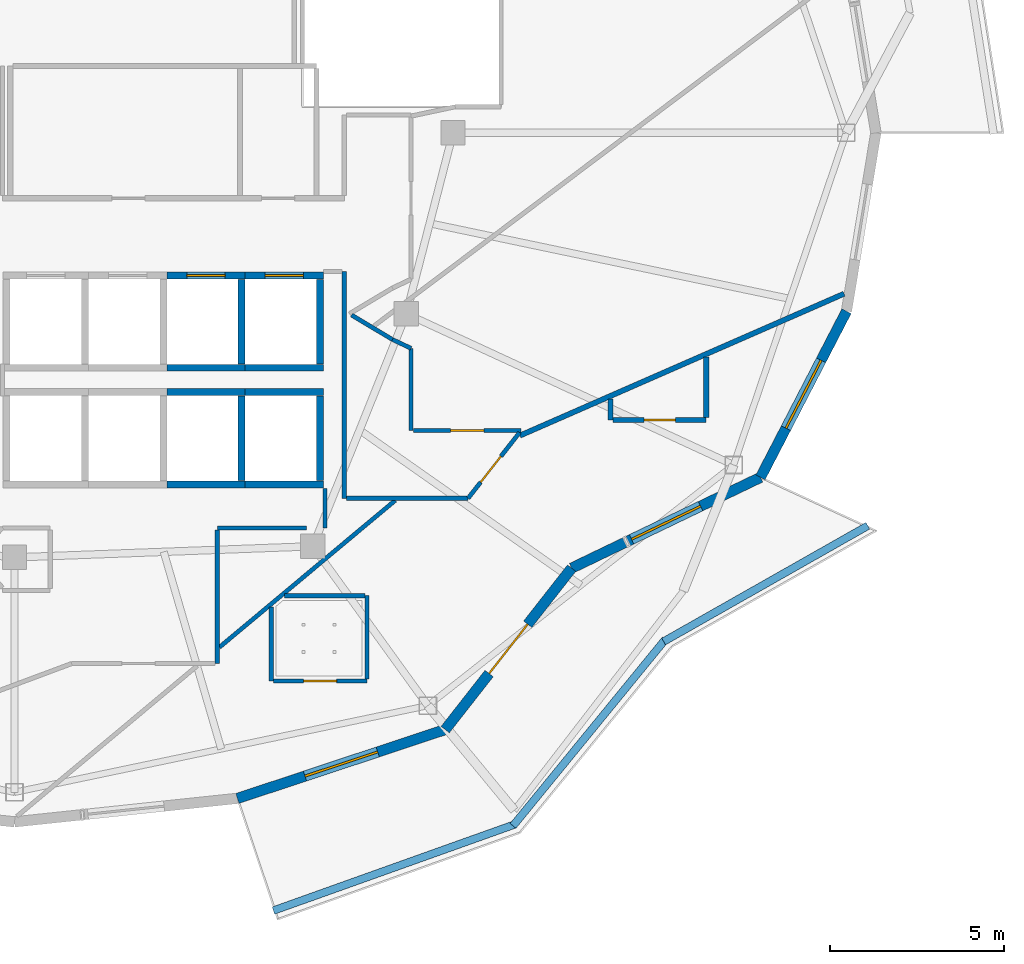
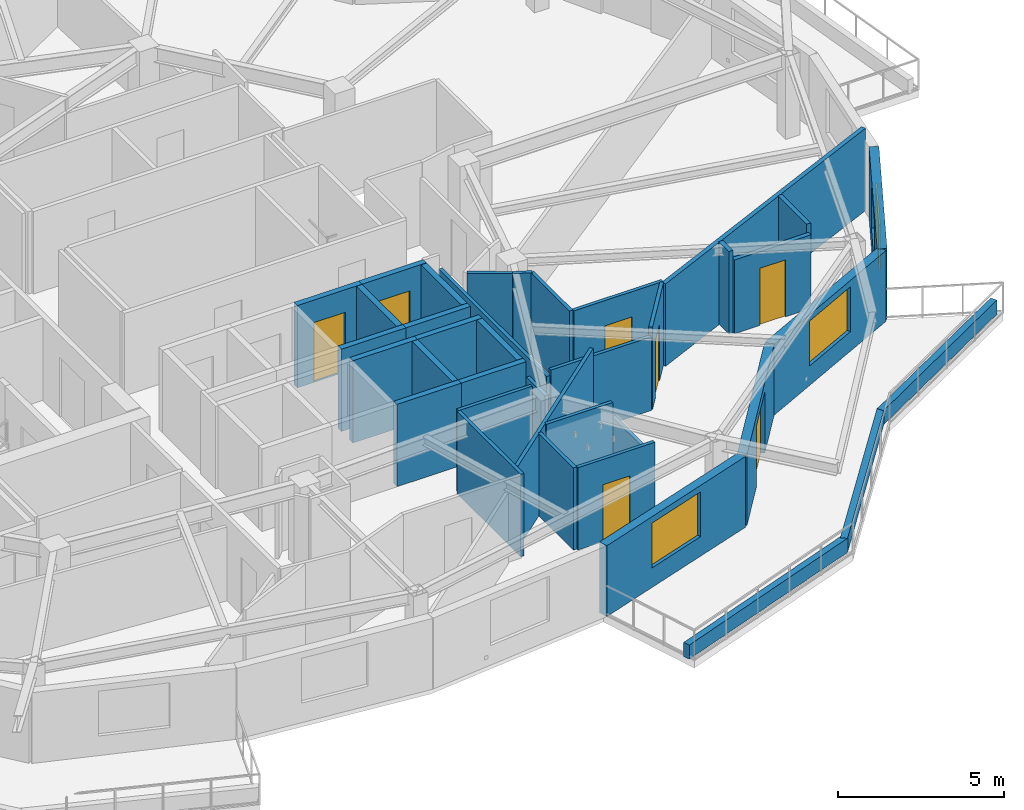
# One storey, part 5 of 13: 38 walls, 7 doors, 3 windows, 10 openings.
"""IFC4 building model written with IfcOpenShell, lengths in metres."""

import ifcopenshell
import ifcopenshell.guid

model = None  # the IFC model being written
_history = None  # IfcOwnerHistory: only IFC2X3 demands one
_inside = {}  # id of a spatial element -> (the spatial element, [elements in it])
_under = {}  # id of a project, library or spatial element -> (it, [spatial elements below it])
_declared = {}  # id of a project -> (the project, [libraries it declares])
_typed = {}  # id of a type object -> (the type object, [elements of that type])
_made_of = {}  # id of a material, layer set ... -> (it, [elements and type objects made of it])


def new_model(schema):
    """Start an empty IFC model of exactly this schema.

    Asked for "IFC4X3", IfcOpenShell would pick the latest addendum, in which some entities
    have other attributes; the version numbers below select the first issue.
    IFC2X3 requires an IfcOwnerHistory on every rooted entity: one is made here for all.
    """
    global model, _history
    if schema == "IFC4X3":
        model = ifcopenshell.file(schema_version=(4, 3, 0, 0))
    else:
        model = ifcopenshell.file(schema=schema)
    _inside.clear()
    _under.clear()
    _declared.clear()
    _typed.clear()
    _made_of.clear()
    _history = None
    if model.schema == "IFC2X3":
        org = make("IfcOrganization", Name="unknown")
        user = make(
            "IfcPersonAndOrganization",
            ThePerson=make("IfcPerson", FamilyName="unknown"),
            TheOrganization=org,
        )
        app = make(
            "IfcApplication",
            ApplicationDeveloper=org,
            Version="unknown",
            ApplicationFullName="unknown",
            ApplicationIdentifier="unknown",
        )
        _history = make(
            "IfcOwnerHistory",
            OwningUser=user,
            OwningApplication=app,
            ChangeAction="ADDED",
            CreationDate=0,
        )
    return model


def make(cls, **values):
    """One entity of the class cls with the attributes given. An attribute that is None is left unset."""
    return model.create_entity(
        cls, **{name: value for name, value in values.items() if value is not None}
    )


def rooted(cls, **values):
    """An entity with a GlobalId (a new one), such as an element, a storey or a relation."""
    return make(cls, GlobalId=ifcopenshell.guid.new(), OwnerHistory=_history, **values)


def si_unit(unit_type, name, prefix=None):
    """IfcSIUnit, for example si_unit("LENGTHUNIT", "METRE", prefix="MILLI")."""
    return make("IfcSIUnit", UnitType=unit_type, Prefix=prefix, Name=name)


def assignment(units):
    """IfcUnitAssignment: the units of a project."""
    return None if units is None else make("IfcUnitAssignment", Units=units)


def point(xyz):
    """IfcCartesianPoint."""
    return None if xyz is None else make("IfcCartesianPoint", Coordinates=xyz)


def direction(xyz):
    """IfcDirection."""
    return None if xyz is None else make("IfcDirection", DirectionRatios=xyz)


def frame(location, z_axis=None, x_axis=None):
    """IfcAxis2Placement3D, a coordinate frame: its origin and axes. An axis left out is left unset."""
    return make(
        "IfcAxis2Placement3D",
        Location=point(location),
        Axis=direction(z_axis),
        RefDirection=direction(x_axis),
    )


def frame_2d(location, x_axis=None):
    """IfcAxis2Placement2D, a coordinate frame in the plane: its origin and x axis."""
    return make(
        "IfcAxis2Placement2D", Location=point(location), RefDirection=direction(x_axis)
    )


def origin():
    """The frame at (0, 0, 0) with its axes left unset."""
    return frame((0.0, 0.0, 0.0))


def place(relative_to, where):
    """IfcLocalPlacement: puts the frame where relative to a parent placement (None: the world)."""
    return make(
        "IfcLocalPlacement", PlacementRelTo=relative_to, RelativePlacement=where
    )


def context(
    kind, dimensions, precision=None, world=None, true_north=None, identifier=None
):
    """IfcGeometricRepresentationContext, for example the 3D "Model" context."""
    return make(
        "IfcGeometricRepresentationContext",
        ContextIdentifier=identifier,
        ContextType=kind,
        CoordinateSpaceDimension=dimensions,
        Precision=precision,
        WorldCoordinateSystem=world,
        TrueNorth=true_north,
    )


def subcontext(parent, identifier, kind, view, scale=None):
    """IfcGeometricRepresentationSubContext, for example "Body" below "Model"."""
    return make(
        "IfcGeometricRepresentationSubContext",
        ContextIdentifier=identifier,
        ContextType=kind,
        ParentContext=parent,
        TargetScale=scale,
        TargetView=view,
    )


def project(units=None, contexts=None):
    """IfcProject with its units and contexts."""
    return rooted(
        "IfcProject",
        Name="project",
        RepresentationContexts=contexts,
        UnitsInContext=assignment(units),
    )


def spatial(cls, under=None, at=None, **own):
    """A site, building, storey or space (cls), placed at a placement, below another one or the project."""
    s = rooted(cls, ObjectPlacement=at, **own)
    if under is not None:
        _under.setdefault(under.id(), (under, []))[1].append(s)
    return s


def profile(cls, at=None, kind="AREA", **sizes):
    """A parametric profile (cls). Its sizes go by their IFC names, for example OverallWidth=200.0."""
    return make(cls, ProfileType=kind, Position=at, **sizes)


def rectangle(**sizes):
    """IfcRectangleProfileDef."""
    return profile("IfcRectangleProfileDef", **sizes)


def extrude(swept, where, along, depth):
    """IfcExtrudedAreaSolid: the profile swept, set in the frame where, extruded along a direction by depth."""
    return make(
        "IfcExtrudedAreaSolid",
        SweptArea=swept,
        Position=where,
        ExtrudedDirection=direction(along),
        Depth=depth,
    )


def shape(context_of_items, identifier, shape_type, items):
    """IfcShapeRepresentation: the items that make up one representation, for example the "Body"."""
    return make(
        "IfcShapeRepresentation",
        ContextOfItems=context_of_items,
        RepresentationIdentifier=identifier,
        RepresentationType=shape_type,
        Items=items,
    )


def material(Name=None, Category=None):
    """IfcMaterial."""
    return make("IfcMaterial", Name=Name, Category=Category)


def layer(
    of_material, thickness, ventilated=None, Name=None, Category=None, Priority=None
):
    """IfcMaterialLayer: one layer of a wall or slab, of a material (None: an air gap)."""
    return make(
        "IfcMaterialLayer",
        Material=of_material,
        LayerThickness=thickness,
        IsVentilated=ventilated,
        Name=Name,
        Category=Category,
        Priority=Priority,
    )


def layer_set(layers, Name=None):
    """IfcMaterialLayerSet."""
    return make("IfcMaterialLayerSet", MaterialLayers=layers, LayerSetName=Name)


def made_of(thing, what):
    """Note that an element or type object is made of a material, layer set ...; save() writes the relation."""
    if what is not None:
        _made_of.setdefault(what.id(), (what, []))[1].append(thing)
    return thing


def type_object(cls, material=None, **own):
    """A type object (cls), such as IfcWallType, which elements share."""
    return made_of(rooted(cls, **own), material)


def element(
    cls,
    number,
    at=None,
    inside=None,
    cuts=None,
    type_object=None,
    material=None,
    context=None,
    identifier="Body",
    shape_type=None,
    held_by="IfcProductDefinitionShape",
    body=None,
    shapes=None,
    **own,
):
    """One element of the class cls, such as IfcWall. Its Tag is "e" and its number.

    at: its placement. inside: the storey or other place that contains it. cuts: it is an
    opening in that element (IfcRelVoidsElement). A single representation is given by context,
    identifier, shape_type and body (its items); several are given by shapes. held_by: the class
    of the entity that holds the representations. save() writes the other relations.
    """
    e = rooted(cls, Tag="e%d" % number, ObjectPlacement=at, **own)
    if body is not None:
        shapes = [shape(context, identifier, shape_type, body)]
    if shapes is not None:
        e.Representation = make(held_by, Representations=shapes)
    if inside is not None:
        _inside.setdefault(inside.id(), (inside, []))[1].append(e)
    if cuts is not None:
        rooted(
            "IfcRelVoidsElement", RelatingBuildingElement=cuts, RelatedOpeningElement=e
        )
    if type_object is not None:
        _typed.setdefault(type_object.id(), (type_object, []))[1].append(e)
    return made_of(e, material)


def fill(opening, filler):
    """IfcRelFillsElement: the door or window that sits in an opening."""
    return rooted(
        "IfcRelFillsElement",
        RelatingOpeningElement=opening,
        RelatedBuildingElement=filler,
    )


def aggregate(whole, parts):
    """IfcRelAggregates: a whole, such as a stair, and the parts it consists of."""
    return rooted("IfcRelAggregates", RelatingObject=whole, RelatedObjects=parts)


def save(model, path):
    """Write the relations noted so far, then the file.

    IfcRelAggregates (storeys below a building ...), IfcRelContainedInSpatialStructure (elements
    in a storey), IfcRelDefinesByType, IfcRelAssociatesMaterial and IfcRelDeclares: one each for
    every whole, place, type object, material and project.
    """
    for whole, parts in _under.values():
        aggregate(whole, parts)
    for where, things in _inside.values():
        rooted(
            "IfcRelContainedInSpatialStructure",
            RelatedElements=things,
            RelatingStructure=where,
        )
    for kind, things in _typed.values():
        rooted("IfcRelDefinesByType", RelatedObjects=things, RelatingType=kind)
    for what, things in _made_of.values():
        rooted("IfcRelAssociatesMaterial", RelatedObjects=things, RelatingMaterial=what)
    for by, libraries in _declared.values():
        rooted("IfcRelDeclares", RelatingContext=by, RelatedDefinitions=libraries)
    model.write(path)


model = new_model("IFC4")

# Units and contexts
model_context = context("Model", 3, precision=1e-05, world=origin(), true_north=direction((0.0, 1.0)))
body_context = subcontext(model_context, "Body", "Model", "MODEL_VIEW")
ifc_project = project(units=[si_unit("LENGTHUNIT", "METRE"), si_unit("AREAUNIT", "SQUARE_METRE"), si_unit("VOLUMEUNIT", "CUBIC_METRE"), si_unit("PLANEANGLEUNIT", "RADIAN"), si_unit("MASSUNIT", "GRAM", prefix="KILO")], contexts=[model_context])

# Site, building, storey
site_placement = place(None, origin())
site = spatial("IfcSite", under=ifc_project, at=site_placement, CompositionType="ELEMENT")
building_placement = place(site_placement, origin())
building = spatial("IfcBuilding", under=site, at=building_placement, Name="Kolvaren Gate Tower and Convention Centre", CompositionType="ELEMENT")
storey_placement = place(building_placement, frame((0.0, 0.0, 196.39990234375)))
storey = spatial("IfcBuildingStorey", under=building, at=storey_placement, Name="L51", CompositionType="ELEMENT", Elevation=196.39990234375)

# Walls
ifc_material_1 = material(Name="Fire-Rated Acoustic Gypsum Stud Partition", Category="gypsum")
ifc_layer_1 = layer(ifc_material_1, 0.1201171875)
ifc_layer_set_1 = layer_set([ifc_layer_1], Name="Fire-Rated Acoustic Gypsum Stud Partition")
wall_type_1 = type_object("IfcWallType", Name="ARCH-WL-PART-120", PredefinedType="PARTITIONING", material=ifc_layer_set_1)
wall_1_placement = place(storey_placement, frame((39.050048828125, 15.64990234375, 0.0), z_axis=(0.0, 0.0, 1.0), x_axis=(0.0, 1.0, 0.0)))
element("IfcWall", 1, at=wall_1_placement, inside=storey, type_object=wall_type_1, Name="Interior Partition WL-L51-INT-038", PredefinedType="PARTITIONING", context=body_context, shape_type="SweptSolid", body=[
    extrude(rectangle(XDim=1.130126953125, YDim=0.1201171875, at=frame_2d((0.56494140625, 0.0))), origin(), (0.0, 0.0, 1.0), 2.47802734375),
])
wall_2_placement = place(storey_placement, frame((39.60009765625, 16.5, 0.0), z_axis=(0.0, 0.0, 1.0), x_axis=(0.0, 1.0, 0.0)))
element("IfcWall", 2, at=wall_2_placement, inside=storey, type_object=wall_type_1, Name="Interior Partition WL-L51-INT-041", PredefinedType="PARTITIONING", context=body_context, shape_type="SweptSolid", body=[
    extrude(rectangle(XDim=6.52001953125, YDim=0.1201171875, at=frame_2d((3.260009765625, 0.0))), origin(), (0.0, 0.0, 1.0), 2.47802734375),
])
wall_3_placement = place(storey_placement, frame((41.52001953125, 18.449951171875, 0.0), z_axis=(0.0, 0.0, 1.0), x_axis=(0.0, 1.0, 0.0)))
element("IfcWall", 3, at=wall_3_placement, inside=storey, type_object=wall_type_1, Name="Interior Partition WL-L51-INT-044", PredefinedType="PARTITIONING", context=body_context, shape_type="SweptSolid", body=[
    extrude(rectangle(XDim=2.35693359375, YDim=0.1201171875, at=frame_2d((1.178466796875, 0.0))), origin(), (0.0, 0.0, 1.0), 3.030029296875),
])
wall_4_placement = place(storey_placement, frame((39.810302734375, 21.763916015625, 0.0), z_axis=(0.0, 0.0, 1.0), x_axis=(0.858011245414, -0.513630901273, 0.0)))
element("IfcWall", 4, at=wall_4_placement, inside=storey, type_object=wall_type_1, Name="Interior Partition WL-L51-INT-048", PredefinedType="PARTITIONING", context=body_context, shape_type="SweptSolid", body=[
    extrude(rectangle(XDim=1.370361328125, YDim=0.1201171875, at=frame_2d((0.68505859375, 0.0))), origin(), (0.0, 0.0, 1.0), 3.030029296875),
])
wall_5_placement = place(storey_placement, frame((40.986083984375, 21.06005859375, 0.0), z_axis=(0.0, 0.0, 1.0), x_axis=(0.90356951601, -0.428441512621, 0.0)))
element("IfcWall", 5, at=wall_5_placement, inside=storey, type_object=wall_type_1, Name="Interior Partition WL-L51-INT-049", PredefinedType="PARTITIONING", context=body_context, shape_type="SweptSolid", body=[
    extrude(rectangle(XDim=0.5908203125, YDim=0.1201171875, at=frame_2d((0.29541015625, 0.0))), origin(), (0.0, 0.0, 1.0), 3.030029296875),
])

# Wall, opening, door
wall_6_placement = place(storey_placement, frame((41.58203125, 18.449951171875, 0.0), z_axis=(0.0, 0.0, 1.0), x_axis=(1.0, 0.0, 0.0)))
wall_6 = element("IfcWall", 6, at=wall_6_placement, inside=storey, type_object=wall_type_1, Name="Interior Partition WL-L51-INT-050", PredefinedType="PARTITIONING", context=body_context, shape_type="SweptSolid", body=[
    extrude(rectangle(XDim=3.10205078125, YDim=0.1201171875, at=frame_2d((1.551025390625, 0.0))), origin(), (0.0, 0.0, 1.0), 3.030029296875),
])
opening_1_placement = place(wall_6_placement, frame((1.075927734375, 0.0, 0.0)))
opening_1 = element("IfcOpeningElement", 7, at=opening_1_placement, cuts=wall_6, Name="Opening DR-01", PredefinedType="OPENING", context=body_context, shape_type="SweptSolid", body=[
    extrude(rectangle(XDim=0.949951171875, YDim=2.10009765625, at=frame_2d((0.47509765625, 1.050048828125))), frame((0.0, 0.070068359375, 0.0), z_axis=(0.0, -1.0, 0.0), x_axis=(1.0, 0.0, 0.0)), (0.0, 0.0, 1.0), 0.14013671875),
])
ifc_material_2 = material(Name="Painted Architectural Steelwork ASTM A500 Grade C 345 MPa", Category="steel")
door_type_1 = type_object("IfcDoorType", Name="ARCH-DR-RISER-950", OperationType="SINGLE_SWING_RIGHT", PredefinedType="DOOR", material=ifc_material_2)
door_1_placement = place(opening_1_placement, origin())
door_1 = element("IfcDoor", 8, at=door_1_placement, inside=storey, type_object=door_type_1, Name="Resident Private Study Door", OperationType="SINGLE_SWING_RIGHT", OverallHeight=2.10009765625, OverallWidth=0.949951171875, PredefinedType="DOOR", context=body_context, shape_type="SweptSolid", body=[
    extrude(rectangle(XDim=0.949951171875, YDim=2.10009765625, at=frame_2d((0.47509765625, 1.050048828125))), frame((0.0, 0.02490234375, 0.0), z_axis=(0.0, -1.0, 0.0), x_axis=(1.0, 0.0, 0.0)), (0.0, 0.0, 1.0), 0.050048828125),
])
fill(opening_1, door_1)

wall_7_placement = place(storey_placement, frame((43.156982421875, 16.5, 0.0), z_axis=(0.0, 0.0, 1.0), x_axis=(0.616566276607, 0.787303008092, 0.0)))
wall_7 = element("IfcWall", 9, at=wall_7_placement, inside=storey, type_object=wall_type_1, Name="Interior Partition WL-L51-INT-051", PredefinedType="PARTITIONING", context=body_context, shape_type="SweptSolid", body=[
    extrude(rectangle(XDim=2.39794921875, YDim=0.1201171875, at=frame_2d((1.198974609375, 0.0))), origin(), (0.0, 0.0, 1.0), 3.030029296875),
])
opening_2_placement = place(wall_7_placement, frame((0.583984375, 0.0, 0.0)))
opening_2 = element("IfcOpeningElement", 10, at=opening_2_placement, cuts=wall_7, Name="Opening DR-01", PredefinedType="OPENING", context=body_context, shape_type="SweptSolid", body=[
    extrude(rectangle(XDim=0.949951171875, YDim=2.10009765625, at=frame_2d((0.47509765625, 1.050048828125))), frame((0.0, 0.070068359375, 0.0), z_axis=(0.0, -1.0, 0.0), x_axis=(1.0, 0.0, 0.0)), (0.0, 0.0, 1.0), 0.14013671875),
])
door_2_placement = place(opening_2_placement, origin())
door_2 = element("IfcDoor", 11, at=door_2_placement, inside=storey, type_object=door_type_1, Name="Studio Apartment (APT-L51-01) Door", OperationType="SINGLE_SWING_LEFT", OverallHeight=2.10009765625, OverallWidth=0.949951171875, PredefinedType="DOOR", context=body_context, shape_type="SweptSolid", body=[
    extrude(rectangle(XDim=0.949951171875, YDim=2.10009765625, at=frame_2d((0.47509765625, 1.050048828125))), frame((0.0, 0.02490234375, 0.0), z_axis=(0.0, -1.0, 0.0), x_axis=(1.0, 0.0, 0.0)), (0.0, 0.0, 1.0), 0.050048828125),
])
fill(opening_2, door_2)

# Walls
wall_8_placement = place(storey_placement, frame((39.662109375, 16.5, 0.0), z_axis=(0.0, 0.0, 1.0), x_axis=(1.0, 0.0, 0.0)))
element("IfcWall", 12, at=wall_8_placement, inside=storey, type_object=wall_type_1, Name="Interior Partition WL-L51-INT-052", PredefinedType="PARTITIONING", context=body_context, shape_type="SweptSolid", body=[
    extrude(rectangle(XDim=3.494873046875, YDim=0.1201171875, at=frame_2d((1.74755859375, 0.0))), origin(), (0.0, 0.0, 1.0), 2.712158203125),
])
wall_9_placement = place(storey_placement, frame((35.949951171875, 15.64990234375, 0.0), z_axis=(0.0, 0.0, 1.0), x_axis=(1.0, 0.0, 0.0)))
element("IfcWall", 13, at=wall_9_placement, inside=storey, type_object=wall_type_1, Name="Interior Partition WL-L51-INT-055", PredefinedType="PARTITIONING", context=body_context, shape_type="SweptSolid", body=[
    extrude(rectangle(XDim=2.568115234375, YDim=0.1201171875, at=frame_2d((1.2841796875, 0.0))), origin(), (0.0, 0.0, 1.0), 3.030029296875),
])
wall_10_placement = place(storey_placement, frame((35.949951171875, 11.75, 0.0), z_axis=(0.0, 0.0, 1.0), x_axis=(0.0, 1.0, 0.0)))
element("IfcWall", 14, at=wall_10_placement, inside=storey, type_object=wall_type_1, Name="Interior Partition WL-L51-INT-056", PredefinedType="PARTITIONING", context=body_context, shape_type="SweptSolid", body=[
    extrude(rectangle(XDim=3.837890625, YDim=0.1201171875, at=frame_2d((1.9189453125, 0.0))), origin(), (0.0, 0.0, 1.0), 3.030029296875),
])
wall_11_placement = place(storey_placement, frame((36.011962890625, 12.219482421875, 0.0), z_axis=(0.0, 0.0, 1.0), x_axis=(0.767493983483, 0.641056148335, 0.0)))
element("IfcWall", 15, at=wall_11_placement, inside=storey, type_object=wall_type_1, Name="Interior Partition WL-L51-INT-073", PredefinedType="PARTITIONING", context=body_context, shape_type="SweptSolid", body=[
    extrude(rectangle(XDim=6.58056640625, YDim=0.1201171875, at=frame_2d((3.290283203125, 0.0))), origin(), (0.0, 0.0, 1.0), 3.030029296875),
])
wall_12_placement = place(storey_placement, frame((37.5, 11.25, 0.0), z_axis=(0.0, 0.0, 1.0), x_axis=(0.0, 1.0, 0.0)))
element("IfcWall", 16, at=wall_12_placement, inside=storey, type_object=wall_type_1, Name="Interior Partition WL-L51-INT-074", PredefinedType="PARTITIONING", context=body_context, shape_type="SweptSolid", body=[
    extrude(rectangle(XDim=2.131591796875, YDim=0.1201171875, at=frame_2d((1.06591796875, 0.0))), origin(), (0.0, 0.0, 1.0), 3.030029296875),
])

# Wall, opening, door
wall_13_placement = place(storey_placement, frame((37.56201171875, 11.25, 0.0), z_axis=(0.0, 0.0, 1.0), x_axis=(1.0, 0.0, 0.0)))
wall_13 = element("IfcWall", 17, at=wall_13_placement, inside=storey, type_object=wall_type_1, Name="Interior Partition WL-L51-INT-075", PredefinedType="PARTITIONING", context=body_context, shape_type="SweptSolid", body=[
    extrude(rectangle(XDim=2.68798828125, YDim=0.1201171875, at=frame_2d((1.343994140625, 0.0))), origin(), (0.0, 0.0, 1.0), 3.030029296875),
])
opening_3_placement = place(wall_13_placement, frame((0.868896484375, 0.0, 0.0)))
opening_3 = element("IfcOpeningElement", 18, at=opening_3_placement, cuts=wall_13, Name="Opening DI-01", PredefinedType="OPENING", context=body_context, shape_type="SweptSolid", body=[
    extrude(rectangle(XDim=0.949951171875, YDim=2.10009765625, at=frame_2d((0.47509765625, 1.050048828125))), frame((0.0, 0.070068359375, 0.0), z_axis=(0.0, -1.0, 0.0), x_axis=(1.0, 0.0, 0.0)), (0.0, 0.0, 1.0), 0.14013671875),
])
ifc_material_3 = material(Name="FSC Andean Oak Engineered Veneer Door Leaf", Category="wood")
door_type_2 = type_object("IfcDoorType", Name="ARCH-DR-INT-950", OperationType="SINGLE_SWING_LEFT", PredefinedType="DOOR", material=ifc_material_3)
door_3_placement = place(opening_3_placement, origin())
door_3 = element("IfcDoor", 19, at=door_3_placement, inside=storey, type_object=door_type_2, Name="Studio Fitted Kitchen (APT-L51-01) Door", OperationType="SINGLE_SWING_RIGHT", OverallHeight=2.10009765625, OverallWidth=0.949951171875, PredefinedType="DOOR", context=body_context, shape_type="SweptSolid", body=[
    extrude(rectangle(XDim=0.949951171875, YDim=2.10009765625, at=frame_2d((0.47509765625, 1.050048828125))), frame((0.0, 0.02490234375, 0.0), z_axis=(0.0, -1.0, 0.0), x_axis=(1.0, 0.0, 0.0)), (0.0, 0.0, 1.0), 0.050048828125),
])
fill(opening_3, door_3)

# Walls
wall_14_placement = place(storey_placement, frame((40.25, 11.31201171875, 0.0), z_axis=(0.0, 0.0, 1.0), x_axis=(0.0, 1.0, 0.0)))
element("IfcWall", 20, at=wall_14_placement, inside=storey, type_object=wall_type_1, Name="Interior Partition WL-L51-INT-076", PredefinedType="PARTITIONING", context=body_context, shape_type="SweptSolid", body=[
    extrude(rectangle(XDim=2.387939453125, YDim=0.1201171875, at=frame_2d((1.19384765625, 0.0))), origin(), (0.0, 0.0, 1.0), 2.47802734375),
])
wall_15_placement = place(storey_placement, frame((37.88134765625, 13.699951171875, 0.0), z_axis=(0.0, 0.0, 1.0), x_axis=(1.0, 0.0, 0.0)))
element("IfcWall", 21, at=wall_15_placement, inside=storey, type_object=wall_type_1, Name="Interior Partition WL-L51-INT-077", PredefinedType="PARTITIONING", context=body_context, shape_type="SweptSolid", body=[
    extrude(rectangle(XDim=2.306640625, YDim=0.1201171875, at=frame_2d((1.1533203125, 0.0))), origin(), (0.0, 0.0, 1.0), 3.030029296875),
])
ifc_material_4 = material(Name="Piedmont Cream Honed Limestone Cladding", Category="masonry")
ifc_layer_2 = layer(ifc_material_4, 0.219970703125)
ifc_layer_set_2 = layer_set([ifc_layer_2], Name="Piedmont Cream Honed Limestone Cladding")
wall_type_2 = type_object("IfcWallType", Name="ARCH-WL-PLANTER-220", PredefinedType="PARAPET", material=ifc_layer_set_2)
wall_16_placement = place(storey_placement, frame((37.564697265625, 4.65283203125, 0.0), z_axis=(0.0, 0.0, 1.0), x_axis=(0.941780086523, 0.336229488042, 0.0)))
element("IfcWall", 22, at=wall_16_placement, inside=storey, type_object=wall_type_2, Name="Vertical-Forest Balcony Stone Planter Kerb PK-L51-4.1", PredefinedType="PARAPET", context=body_context, shape_type="SweptSolid", body=[
    extrude(rectangle(XDim=7.3779296875, YDim=0.219970703125, at=frame_2d((3.68896484375, 0.0))), origin(), (0.0, 0.0, 1.0), 0.52001953125),
])
wall_17_placement = place(storey_placement, frame((44.4482421875, 7.087158203125, 0.0), z_axis=(0.0, 0.0, 1.0), x_axis=(0.632697312147, 0.774399193699, 0.0)))
element("IfcWall", 23, at=wall_17_placement, inside=storey, type_object=wall_type_2, Name="Vertical-Forest Balcony Stone Planter Kerb PK-L51-4.2", PredefinedType="PARAPET", context=body_context, shape_type="SweptSolid", body=[
    extrude(rectangle(XDim=6.9140625, YDim=0.219970703125, at=frame_2d((3.45703125, 0.0))), origin(), (0.0, 0.0, 1.0), 0.52001953125),
])
wall_18_placement = place(storey_placement, frame((48.7763671875, 12.38330078125, 0.0), z_axis=(0.0, 0.0, 1.0), x_axis=(0.869860619267, 0.493297580623, 0.0)))
element("IfcWall", 24, at=wall_18_placement, inside=storey, type_object=wall_type_2, Name="Vertical-Forest Balcony Stone Planter Kerb PK-L51-4.3", PredefinedType="PARAPET", context=body_context, shape_type="SweptSolid", body=[
    extrude(rectangle(XDim=6.74267578125, YDim=0.219970703125, at=frame_2d((3.371337890625, 0.0))), origin(), (0.0, 0.0, 1.0), 0.52001953125),
])
ifc_material_5 = material(Name="Autoclaved Aerated Masonry Blockwork Class 4 (4.0 MPa)", Category="masonry")
ifc_layer_3 = layer(ifc_material_5, 0.199951171875)
ifc_layer_set_3 = layer_set([ifc_layer_3], Name="Autoclaved Aerated Masonry Blockwork Class 4 (4.0 MPa)")
wall_type_3 = type_object("IfcWallType", Name="ARCH-WL-SHAFT-200", PredefinedType="SOLIDWALL", material=ifc_layer_set_3)
for number, where, z_axis, x_axis, name in (
    (25, (34.5, 19.550048828125, 0.0), (0.0, 0.0, 1.0), (1.0, 0.0, 0.0), "Elevator PL-07 L51 Fire Shaft Wall N"),
    (26, (34.5, 16.89990234375, 0.0), (0.0, 0.0, 1.0), (1.0, 0.0, 0.0), "Elevator PL-07 L51 Fire Shaft Wall S"),
):
    element("IfcWall", number, at=place(storey_placement, frame(where, z_axis=z_axis, x_axis=x_axis)), inside=storey, type_object=wall_type_3, Name=name, PredefinedType="SOLIDWALL", context=body_context, shape_type="SweptSolid", body=[
        extrude(rectangle(XDim=2.25, YDim=0.199951171875, at=frame_2d((1.125, 0.0))), origin(), (0.0, 0.0, 1.0), 3.030029296875),
    ])
wall_19_placement = place(storey_placement, frame((36.64990234375, 17.010009765625, 0.0), z_axis=(0.0, 0.0, 1.0), x_axis=(0.0, 1.0, 0.0)))
element("IfcWall", 27, at=wall_19_placement, inside=storey, type_object=wall_type_3, Name="Elevator PL-07 L51 Fire Shaft Wall E", PredefinedType="SOLIDWALL", context=body_context, shape_type="SweptSolid", body=[
    extrude(rectangle(XDim=2.429931640625, YDim=0.199951171875, at=frame_2d((1.21484375, 0.0))), origin(), (0.0, 0.0, 1.0), 3.030029296875),
])
for number, where, z_axis, x_axis, name in (
    (28, (36.75, 19.550048828125, 0.0), (0.0, 0.0, 1.0), (1.0, 0.0, 0.0), "Elevator PL-08 L51 Fire Shaft Wall N"),
    (29, (36.75, 16.89990234375, 0.0), (0.0, 0.0, 1.0), (1.0, 0.0, 0.0), "Elevator PL-08 L51 Fire Shaft Wall S"),
):
    element("IfcWall", number, at=place(storey_placement, frame(where, z_axis=z_axis, x_axis=x_axis)), inside=storey, type_object=wall_type_3, Name=name, PredefinedType="SOLIDWALL", context=body_context, shape_type="SweptSolid", body=[
        extrude(rectangle(XDim=2.25, YDim=0.199951171875, at=frame_2d((1.125, 0.0))), origin(), (0.0, 0.0, 1.0), 3.030029296875),
    ])
wall_20_placement = place(storey_placement, frame((38.89990234375, 17.010009765625, 0.0), z_axis=(0.0, 0.0, 1.0), x_axis=(0.0, 1.0, 0.0)))
element("IfcWall", 30, at=wall_20_placement, inside=storey, type_object=wall_type_3, Name="Elevator PL-08 L51 Fire Shaft Wall E", PredefinedType="SOLIDWALL", context=body_context, shape_type="SweptSolid", body=[
    extrude(rectangle(XDim=2.429931640625, YDim=0.199951171875, at=frame_2d((1.21484375, 0.0))), origin(), (0.0, 0.0, 1.0), 3.030029296875),
])

# Wall, opening, door
wall_21_placement = place(storey_placement, frame((34.5, 22.89990234375, 0.0), z_axis=(0.0, 0.0, 1.0), x_axis=(1.0, 0.0, 0.0)))
wall_21 = element("IfcWall", 31, at=wall_21_placement, inside=storey, type_object=wall_type_3, Name="Elevator PL-11 L51 Fire Shaft Wall N", PredefinedType="SOLIDWALL", context=body_context, shape_type="SweptSolid", body=[
    extrude(rectangle(XDim=2.25, YDim=0.199951171875, at=frame_2d((1.125, 0.0))), origin(), (0.0, 0.0, 1.0), 3.030029296875),
])
opening_4_placement = place(wall_21_placement, frame((0.574951171875, 0.0, 0.0)))
opening_4 = element("IfcOpeningElement", 32, at=opening_4_placement, cuts=wall_21, Name="Opening LD", PredefinedType="OPENING", context=body_context, shape_type="SweptSolid", body=[
    extrude(rectangle(XDim=1.10009765625, YDim=2.199951171875, at=frame_2d((0.550048828125, 1.10009765625))), frame((0.0, 0.10986328125, 0.0), z_axis=(0.0, -1.0, 0.0), x_axis=(1.0, 0.0, 0.0)), (0.0, 0.0, 1.0), 0.219970703125),
])
ifc_material_6 = material(Name="Brushed Stainless Steel Grade 316L", Category="steel")
door_type_3 = type_object("IfcDoorType", Name="ARCH-DR-LIFT-1100", OperationType="SLIDING_TO_LEFT", PredefinedType="DOOR", material=ifc_material_6)
door_4_placement = place(opening_4_placement, origin())
door_4 = element("IfcDoor", 33, at=door_4_placement, inside=storey, type_object=door_type_3, Name="Elevator PL-11 L51 Sliding Landing Door", OperationType="SLIDING_TO_LEFT", OverallHeight=2.199951171875, OverallWidth=1.10009765625, PredefinedType="DOOR", context=body_context, shape_type="SweptSolid", body=[
    extrude(rectangle(XDim=1.10009765625, YDim=2.199951171875, at=frame_2d((0.550048828125, 1.10009765625))), frame((0.0, 0.02490234375, 0.0), z_axis=(0.0, -1.0, 0.0), x_axis=(1.0, 0.0, 0.0)), (0.0, 0.0, 1.0), 0.050048828125),
])
fill(opening_4, door_4)

# Walls
wall_22_placement = place(storey_placement, frame((34.5, 20.25, 0.0), z_axis=(0.0, 0.0, 1.0), x_axis=(1.0, 0.0, 0.0)))
element("IfcWall", 34, at=wall_22_placement, inside=storey, type_object=wall_type_3, Name="Elevator PL-11 L51 Fire Shaft Wall S", PredefinedType="SOLIDWALL", context=body_context, shape_type="SweptSolid", body=[
    extrude(rectangle(XDim=2.25, YDim=0.199951171875, at=frame_2d((1.125, 0.0))), origin(), (0.0, 0.0, 1.0), 3.030029296875),
])
wall_23_placement = place(storey_placement, frame((36.64990234375, 20.360107421875, 0.0), z_axis=(0.0, 0.0, 1.0), x_axis=(0.0, 1.0, 0.0)))
element("IfcWall", 35, at=wall_23_placement, inside=storey, type_object=wall_type_3, Name="Elevator PL-11 L51 Fire Shaft Wall E", PredefinedType="SOLIDWALL", context=body_context, shape_type="SweptSolid", body=[
    extrude(rectangle(XDim=2.429931640625, YDim=0.199951171875, at=frame_2d((1.21484375, 0.0))), origin(), (0.0, 0.0, 1.0), 3.030029296875),
])

# Wall, opening, door
wall_24_placement = place(storey_placement, frame((36.75, 22.89990234375, 0.0), z_axis=(0.0, 0.0, 1.0), x_axis=(1.0, 0.0, 0.0)))
wall_24 = element("IfcWall", 36, at=wall_24_placement, inside=storey, type_object=wall_type_3, Name="Elevator PL-12 L51 Fire Shaft Wall N", PredefinedType="SOLIDWALL", context=body_context, shape_type="SweptSolid", body=[
    extrude(rectangle(XDim=2.25, YDim=0.199951171875, at=frame_2d((1.125, 0.0))), origin(), (0.0, 0.0, 1.0), 3.030029296875),
])
opening_5_placement = place(wall_24_placement, frame((0.574951171875, 0.0, 0.0)))
opening_5 = element("IfcOpeningElement", 37, at=opening_5_placement, cuts=wall_24, Name="Opening LD", PredefinedType="OPENING", context=body_context, shape_type="SweptSolid", body=[
    extrude(rectangle(XDim=1.10009765625, YDim=2.199951171875, at=frame_2d((0.550048828125, 1.10009765625))), frame((0.0, 0.10986328125, 0.0), z_axis=(0.0, -1.0, 0.0), x_axis=(1.0, 0.0, 0.0)), (0.0, 0.0, 1.0), 0.219970703125),
])
door_5_placement = place(opening_5_placement, origin())
door_5 = element("IfcDoor", 38, at=door_5_placement, inside=storey, type_object=door_type_3, Name="Elevator PL-12 L51 Sliding Landing Door", OperationType="SLIDING_TO_LEFT", OverallHeight=2.199951171875, OverallWidth=1.10009765625, PredefinedType="DOOR", context=body_context, shape_type="SweptSolid", body=[
    extrude(rectangle(XDim=1.10009765625, YDim=2.199951171875, at=frame_2d((0.550048828125, 1.10009765625))), frame((0.0, 0.02490234375, 0.0), z_axis=(0.0, -1.0, 0.0), x_axis=(1.0, 0.0, 0.0)), (0.0, 0.0, 1.0), 0.050048828125),
])
fill(opening_5, door_5)

# Walls
wall_25_placement = place(storey_placement, frame((36.75, 20.25, 0.0), z_axis=(0.0, 0.0, 1.0), x_axis=(1.0, 0.0, 0.0)))
element("IfcWall", 39, at=wall_25_placement, inside=storey, type_object=wall_type_3, Name="Elevator PL-12 L51 Fire Shaft Wall S", PredefinedType="SOLIDWALL", context=body_context, shape_type="SweptSolid", body=[
    extrude(rectangle(XDim=2.25, YDim=0.199951171875, at=frame_2d((1.125, 0.0))), origin(), (0.0, 0.0, 1.0), 3.030029296875),
])
wall_26_placement = place(storey_placement, frame((38.89990234375, 20.360107421875, 0.0), z_axis=(0.0, 0.0, 1.0), x_axis=(0.0, 1.0, 0.0)))
element("IfcWall", 40, at=wall_26_placement, inside=storey, type_object=wall_type_3, Name="Elevator PL-12 L51 Fire Shaft Wall E", PredefinedType="SOLIDWALL", context=body_context, shape_type="SweptSolid", body=[
    extrude(rectangle(XDim=2.429931640625, YDim=0.199951171875, at=frame_2d((1.21484375, 0.0))), origin(), (0.0, 0.0, 1.0), 3.030029296875),
])

# Wall, opening, window
ifc_layer_4 = layer(ifc_material_4, 0.300048828125)
ifc_layer_set_4 = layer_set([ifc_layer_4], Name="Piedmont Cream Honed Limestone Cladding")
wall_type_4 = type_object("IfcWallType", Name="ARCH-WL-STONE-300", PredefinedType="SOLIDWALL", material=ifc_layer_set_4)
wall_27_placement = place(storey_placement, frame((36.53076171875, 7.874755859375, 0.0), z_axis=(0.0, 0.0, 1.0), x_axis=(0.949240877604, 0.314550085495, 0.0)))
wall_27 = element("IfcWall", 41, at=wall_27_placement, inside=storey, type_object=wall_type_4, Name="Tower L51 Honed Stone Spandrel Wall EW-19", PredefinedType="SOLIDWALL", context=body_context, shape_type="SweptSolid", body=[
    extrude(rectangle(XDim=6.288330078125, YDim=0.300048828125, at=frame_2d((3.14404296875, 0.0))), origin(), (0.0, 0.0, 1.0), 2.60498046875),
])
opening_6_placement = place(wall_27_placement, frame((2.0439453125, 0.0, 0.719970703125)))
opening_6 = element("IfcOpeningElement", 42, at=opening_6_placement, cuts=wall_27, Name="Opening W-03", PredefinedType="OPENING", context=body_context, shape_type="SweptSolid", body=[
    extrude(rectangle(XDim=2.199951171875, YDim=1.64990234375, at=frame_2d((1.10009765625, 0.824951171875))), frame((0.0, 0.159912109375, 0.0), z_axis=(0.0, -1.0, 0.0), x_axis=(1.0, 0.0, 0.0)), (0.0, 0.0, 1.0), 0.320068359375),
])
ifc_material_7 = material(Name="Low-E Triple Insulated Glazing Unit 44 mm", Category="glass")
window_type = type_object("IfcWindowType", Name="ARCH-WN-RES-2200", PartitioningType="SINGLE_PANEL", PredefinedType="WINDOW", material=ifc_material_7)
window_1_placement = place(opening_6_placement, origin())
window_1 = element("IfcWindow", 43, at=window_1_placement, inside=storey, type_object=window_type, Name="Tower L51 Punched Stone Facade Window W-19", OverallHeight=1.64990234375, OverallWidth=2.199951171875, PartitioningType="SINGLE_PANEL", PredefinedType="WINDOW", context=body_context, shape_type="SweptSolid", body=[
    extrude(rectangle(XDim=2.199951171875, YDim=1.64990234375, at=frame_2d((1.10009765625, 0.824951171875))), frame((0.0, 0.030029296875, 0.0), z_axis=(0.0, -1.0, 0.0), x_axis=(1.0, 0.0, 0.0)), (0.0, 0.0, 1.0), 0.06005859375),
])
fill(opening_6, window_1)

# Wall, opening, door
wall_28_placement = place(storey_placement, frame((42.5, 9.852783203125, 0.0), z_axis=(0.0, 0.0, 1.0), x_axis=(0.616450126935, 0.787393955401, 0.0)))
wall_28 = element("IfcWall", 44, at=wall_28_placement, inside=storey, type_object=wall_type_4, Name="Tower L51 Honed Stone Spandrel Wall EW-20", PredefinedType="SOLIDWALL", context=body_context, shape_type="SweptSolid", body=[
    extrude(rectangle(XDim=5.892822265625, YDim=0.300048828125, at=frame_2d((2.9462890625, 0.0))), origin(), (0.0, 0.0, 1.0), 2.60498046875),
])
opening_7_placement = place(wall_28_placement, frame((2.0458984375, 0.0, 0.0)))
opening_7 = element("IfcOpeningElement", 45, at=opening_7_placement, cuts=wall_28, Name="Opening DB-01", PredefinedType="OPENING", context=body_context, shape_type="SweptSolid", body=[
    extrude(rectangle(XDim=1.800048828125, YDim=2.25, at=frame_2d((0.89990234375, 1.125))), frame((0.0, 0.159912109375, 0.0), z_axis=(0.0, -1.0, 0.0), x_axis=(1.0, 0.0, 0.0)), (0.0, 0.0, 1.0), 0.320068359375),
])
ifc_material_8 = material(Name="Anodized Architectural Aluminium Alloy 6063-T6", Category="aluminium")
door_type_4 = type_object("IfcDoorType", Name="ARCH-DR-BALC-1800", OperationType="SLIDING_TO_LEFT", PredefinedType="DOOR", material=ifc_material_8)
door_6_placement = place(opening_7_placement, frame((1.800048828125, 0.0, 0.0), z_axis=(0.0, 0.0, 1.0), x_axis=(-1.0, 0.0, 0.0)))
door_6 = element("IfcDoor", 46, at=door_6_placement, inside=storey, type_object=door_type_4, Name="Planted Sky Terrace Access Door DB-L51-20", OperationType="SLIDING_TO_LEFT", OverallHeight=2.25, OverallWidth=1.800048828125, PredefinedType="DOOR", context=body_context, shape_type="SweptSolid", body=[
    extrude(rectangle(XDim=1.800048828125, YDim=2.25, at=frame_2d((0.89990234375, 1.125))), frame((0.0, 0.02490234375, 0.0), z_axis=(0.0, -1.0, 0.0), x_axis=(1.0, 0.0, 0.0)), (0.0, 0.0, 1.0), 0.050048828125),
])
fill(opening_7, door_6)

# Wall, opening, window
wall_29_placement = place(storey_placement, frame((46.132568359375, 14.49267578125, 0.0), z_axis=(0.0, 0.0, 1.0), x_axis=(0.901348331142, 0.433094892545, 0.0)))
wall_29 = element("IfcWall", 47, at=wall_29_placement, inside=storey, type_object=wall_type_4, Name="Tower L51 Honed Stone Spandrel Wall EW-21", PredefinedType="SOLIDWALL", context=body_context, shape_type="SweptSolid", body=[
    extrude(rectangle(XDim=6.0205078125, YDim=0.300048828125, at=frame_2d((3.01025390625, 0.0))), origin(), (0.0, 0.0, 1.0), 2.60498046875),
])
opening_8_placement = place(wall_29_placement, frame((1.909912109375, 0.0, 0.719970703125)))
opening_8 = element("IfcOpeningElement", 48, at=opening_8_placement, cuts=wall_29, Name="Opening W-03", PredefinedType="OPENING", context=body_context, shape_type="SweptSolid", body=[
    extrude(rectangle(XDim=2.199951171875, YDim=1.64990234375, at=frame_2d((1.10009765625, 0.824951171875))), frame((0.0, 0.159912109375, 0.0), z_axis=(0.0, -1.0, 0.0), x_axis=(1.0, 0.0, 0.0)), (0.0, 0.0, 1.0), 0.320068359375),
])
window_2_placement = place(opening_8_placement, origin())
window_2 = element("IfcWindow", 49, at=window_2_placement, inside=storey, type_object=window_type, Name="Tower L51 Punched Stone Facade Window W-21", OverallHeight=1.64990234375, OverallWidth=2.199951171875, PartitioningType="SINGLE_PANEL", PredefinedType="WINDOW", context=body_context, shape_type="SweptSolid", body=[
    extrude(rectangle(XDim=2.199951171875, YDim=1.64990234375, at=frame_2d((1.10009765625, 0.824951171875))), frame((0.0, 0.030029296875, 0.0), z_axis=(0.0, -1.0, 0.0), x_axis=(1.0, 0.0, 0.0)), (0.0, 0.0, 1.0), 0.06005859375),
])
fill(opening_8, window_2)

wall_30_placement = place(storey_placement, frame((51.55908203125, 17.10009765625, 0.0), z_axis=(0.0, 0.0, 1.0), x_axis=(0.459808219482, 0.888018243786, 0.0)))
wall_30 = element("IfcWall", 50, at=wall_30_placement, inside=storey, type_object=wall_type_4, Name="Tower L51 Honed Stone Spandrel Wall EW-22", PredefinedType="SOLIDWALL", context=body_context, shape_type="SweptSolid", body=[
    extrude(rectangle(XDim=5.377685546875, YDim=0.300048828125, at=frame_2d((2.68896484375, 0.0))), origin(), (0.0, 0.0, 1.0), 2.60498046875),
])
opening_9_placement = place(wall_30_placement, frame((1.589111328125, 0.0, 0.719970703125)))
opening_9 = element("IfcOpeningElement", 51, at=opening_9_placement, cuts=wall_30, Name="Opening W-03", PredefinedType="OPENING", context=body_context, shape_type="SweptSolid", body=[
    extrude(rectangle(XDim=2.199951171875, YDim=1.64990234375, at=frame_2d((1.10009765625, 0.824951171875))), frame((0.0, 0.159912109375, 0.0), z_axis=(0.0, -1.0, 0.0), x_axis=(1.0, 0.0, 0.0)), (0.0, 0.0, 1.0), 0.320068359375),
])
window_3_placement = place(opening_9_placement, origin())
window_3 = element("IfcWindow", 52, at=window_3_placement, inside=storey, type_object=window_type, Name="Tower L51 Punched Stone Facade Window W-22", OverallHeight=1.64990234375, OverallWidth=2.199951171875, PartitioningType="SINGLE_PANEL", PredefinedType="WINDOW", context=body_context, shape_type="SweptSolid", body=[
    extrude(rectangle(XDim=2.199951171875, YDim=1.64990234375, at=frame_2d((1.10009765625, 0.824951171875))), frame((0.0, 0.030029296875, 0.0), z_axis=(0.0, -1.0, 0.0), x_axis=(1.0, 0.0, 0.0)), (0.0, 0.0, 1.0), 0.06005859375),
])
fill(opening_9, window_3)

# Walls
ifc_material_9 = material(Name="Moisture-Resistant Cement-Board Acoustic Partition", Category="gypsum")
ifc_layer_5 = layer(ifc_material_9, 0.14990234375)
ifc_layer_set_5 = layer_set([ifc_layer_5], Name="Moisture-Resistant Cement-Board Acoustic Partition")
wall_type_5 = type_object("IfcWallType", Name="ARCH-WL-WET-150", PredefinedType="PARTITIONING", material=ifc_layer_set_5)
wall_31_placement = place(storey_placement, frame((44.6455078125, 18.30029296875, 0.0), z_axis=(0.0, 0.0, 1.0), x_axis=(0.916103872047, 0.400941012645, 0.0)))
element("IfcWall", 53, at=wall_31_placement, inside=storey, type_object=wall_type_5, Name="Interior Partition WL-L51-INT-071", PredefinedType="PARTITIONING", context=body_context, shape_type="SweptSolid", body=[
    extrude(rectangle(XDim=10.167724609375, YDim=0.14990234375, at=frame_2d((5.083984375, 0.0))), origin(), (0.0, 0.0, 1.0), 3.030029296875),
])
wall_32_placement = place(storey_placement, frame((47.25, 18.75, 0.0), z_axis=(0.0, 0.0, 1.0), x_axis=(0.0, 1.0, 0.0)))
element("IfcWall", 54, at=wall_32_placement, inside=storey, type_object=wall_type_5, Name="Interior Partition WL-L51-INT-078", PredefinedType="PARTITIONING", context=body_context, shape_type="SweptSolid", body=[
    extrude(rectangle(XDim=0.606201171875, YDim=0.14990234375, at=frame_2d((0.30322265625, 0.0))), origin(), (0.0, 0.0, 1.0), 3.030029296875),
])

# Wall, opening, door
wall_33_placement = place(storey_placement, frame((47.326904296875, 18.75, 0.0), z_axis=(0.0, 0.0, 1.0), x_axis=(1.0, 0.0, 0.0)))
wall_33 = element("IfcWall", 55, at=wall_33_placement, inside=storey, type_object=wall_type_5, Name="Interior Partition WL-L51-INT-079", PredefinedType="PARTITIONING", context=body_context, shape_type="SweptSolid", body=[
    extrude(rectangle(XDim=2.673095703125, YDim=0.14990234375, at=frame_2d((1.33642578125, 0.0))), origin(), (0.0, 0.0, 1.0), 2.712158203125),
])
opening_10_placement = place(wall_33_placement, frame((0.886474609375, 0.0, 0.0)))
opening_10 = element("IfcOpeningElement", 56, at=opening_10_placement, cuts=wall_33, Name="Opening DW-01", PredefinedType="OPENING", context=body_context, shape_type="SweptSolid", body=[
    extrude(rectangle(XDim=0.89990234375, YDim=2.10009765625, at=frame_2d((0.449951171875, 1.050048828125))), frame((0.0, 0.0849609375, 0.0), z_axis=(0.0, -1.0, 0.0), x_axis=(1.0, 0.0, 0.0)), (0.0, 0.0, 1.0), 0.169921875),
])
door_type_5 = type_object("IfcDoorType", Name="ARCH-DR-WC-900", OperationType="SINGLE_SWING_RIGHT", PredefinedType="DOOR", material=ifc_material_3)
door_7_placement = place(opening_10_placement, origin())
door_7 = element("IfcDoor", 57, at=door_7_placement, inside=storey, type_object=door_type_5, Name="Studio Bathroom (APT-L51-01) Door", OperationType="SINGLE_SWING_LEFT", OverallHeight=2.10009765625, OverallWidth=0.89990234375, PredefinedType="DOOR", context=body_context, shape_type="SweptSolid", body=[
    extrude(rectangle(XDim=0.89990234375, YDim=2.10009765625, at=frame_2d((0.449951171875, 1.050048828125))), frame((0.0, 0.02490234375, 0.0), z_axis=(0.0, -1.0, 0.0), x_axis=(1.0, 0.0, 0.0)), (0.0, 0.0, 1.0), 0.050048828125),
])
fill(opening_10, door_7)

# Wall
wall_34_placement = place(storey_placement, frame((50.0, 18.826904296875, 0.0), z_axis=(0.0, 0.0, 1.0), x_axis=(0.0, 1.0, 0.0)))
element("IfcWall", 58, at=wall_34_placement, inside=storey, type_object=wall_type_5, Name="Interior Partition WL-L51-INT-080", PredefinedType="PARTITIONING", context=body_context, shape_type="SweptSolid", body=[
    extrude(rectangle(XDim=1.73291015625, YDim=0.14990234375, at=frame_2d((0.866455078125, 0.0))), origin(), (0.0, 0.0, 1.0), 3.030029296875),
])

save(model, "model.ifc")
